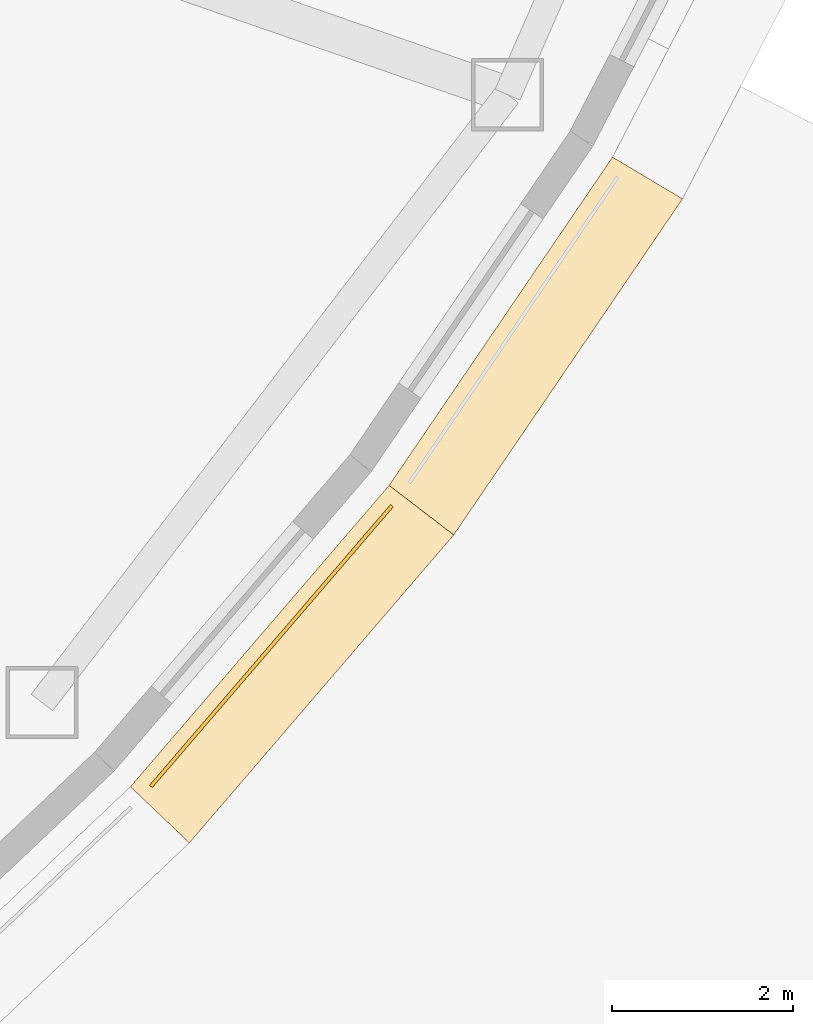
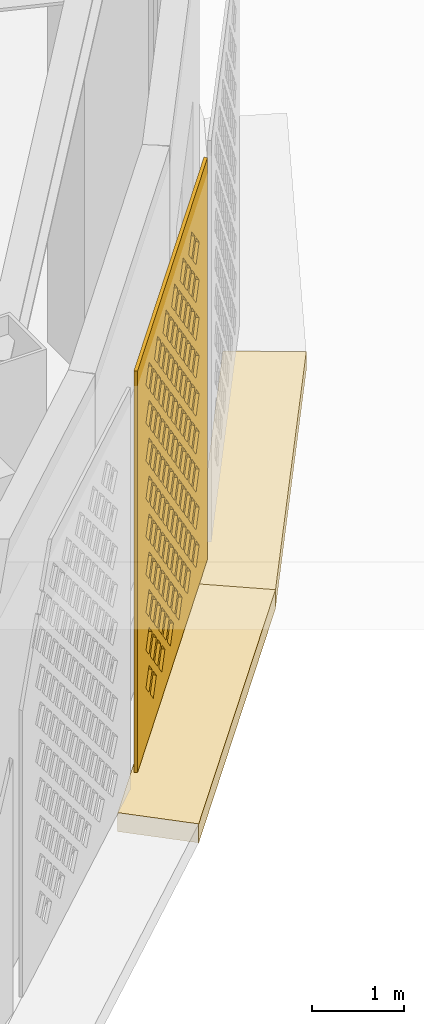
# One storey, part 70 of 74: 3 coverings.
"""IFC4 building model written with IfcOpenShell, lengths in metres."""

from ifc_helpers import new_model, si_unit, direction, frame, origin, place, context, subcontext, project, spatial, polyline, outline, extrude, material, layer, layer_set, type_object, element, save


model = new_model("IFC4")

# Units and contexts
model_context = context("Model", 3, precision=1e-05, world=origin(), true_north=direction((0.0, 1.0)))
body_context = subcontext(model_context, "Body", "Model", "MODEL_VIEW")
ifc_project = project(units=[si_unit("LENGTHUNIT", "METRE"), si_unit("AREAUNIT", "SQUARE_METRE"), si_unit("VOLUMEUNIT", "CUBIC_METRE"), si_unit("PLANEANGLEUNIT", "RADIAN"), si_unit("MASSUNIT", "GRAM", prefix="KILO")], contexts=[model_context])

# Site, building, storey
site_placement = place(None, origin())
site = spatial("IfcSite", under=ifc_project, at=site_placement, CompositionType="ELEMENT")
building_placement = place(site_placement, origin())
building = spatial("IfcBuilding", under=site, at=building_placement, Name="Noorbagh Ring Tower", CompositionType="ELEMENT")
storey_placement = place(building_placement, frame((0.0, 0.0, 7.5)))
storey = spatial("IfcBuildingStorey", under=building, at=storey_placement, Name="L01", CompositionType="ELEMENT", Elevation=7.5)

# Coverings
ifc_material_1 = material(Name="Red sandstone eave", Category="masonry")
covering_type_1 = type_object("IfcCoveringType", Name="STY-CHHAJJA", PredefinedType="USERDEFINED", material=ifc_material_1)
covering_1_placement = place(storey_placement, frame((0.0, 0.0, -0.25)))
element("IfcCovering", 1, at=covering_1_placement, inside=storey, type_object=covering_type_1, Name="Chhajja eave", ObjectType="CHHAJJA", PredefinedType="USERDEFINED", context=body_context, shape_type="SweptSolid", body=[
    extrude(outline(polyline([(41.906494140625, -23.682373046875), (44.77001953125, -20.346923828125), (45.485595703125, -20.89501953125), (42.55908203125, -24.3037109375), (41.906494140625, -23.682373046875)])), origin(), (0.0, 0.0, 1.0), 0.25),
])
covering_2_placement = place(storey_placement, frame((0.0, 0.0, -0.25)))
element("IfcCovering", 2, at=covering_2_placement, inside=storey, type_object=covering_type_1, Name="Chhajja eave", ObjectType="CHHAJJA", PredefinedType="USERDEFINED", context=body_context, shape_type="SweptSolid", body=[
    extrude(outline(polyline([(44.77001953125, -20.346923828125), (47.2431640625, -16.71337890625), (48.017578125, -17.175048828125), (45.485595703125, -20.89501953125), (44.77001953125, -20.346923828125)])), origin(), (0.0, 0.0, 1.0), 0.25),
])
ifc_material_2 = material(Name="Red sandstone jali", Category="masonry")
ifc_layer = layer(ifc_material_2, 0.0400390625)
ifc_layer_set = layer_set([ifc_layer], Name="Red sandstone jali")
covering_type_2 = type_object("IfcCoveringType", Name="STY-JALI", PredefinedType="USERDEFINED", material=ifc_layer_set)
covering_3_placement = place(storey_placement, frame((42.1484375, -23.692138671875, 0.449951171875), z_axis=(0.758717747284, -0.651419511495, 0.0), x_axis=(0.651419511495, 0.758717747284, 0.0)))
element("IfcCovering", 3, at=covering_3_placement, inside=storey, type_object=covering_type_2, Name="Jali screen", ObjectType="SCREEN", PredefinedType="USERDEFINED", context=body_context, shape_type="SweptSolid", body=[
    extrude(outline(polyline([(0.0, 0.0), (4.095703125, 0.0), (4.095703125, 5.300048828125), (0.0, 5.300048828125), (0.0, 0.0)]), holes=[polyline([(0.742919921875, 0.52490234375), (0.9228515625, 0.344970703125), (1.102783203125, 0.52490234375), (0.9228515625, 0.705078125), (0.742919921875, 0.52490234375)]), polyline([(1.242919921875, 0.52490234375), (1.4228515625, 0.344970703125), (1.602783203125, 0.52490234375), (1.4228515625, 0.705078125), (1.242919921875, 0.52490234375)]), polyline([(1.742919921875, 0.52490234375), (1.9228515625, 0.344970703125), (2.102783203125, 0.52490234375), (1.9228515625, 0.705078125), (1.742919921875, 0.52490234375)]), polyline([(2.242919921875, 0.52490234375), (2.4228515625, 0.344970703125), (2.602783203125, 0.52490234375), (2.4228515625, 0.705078125), (2.242919921875, 0.52490234375)]), polyline([(2.742919921875, 0.52490234375), (2.9228515625, 0.344970703125), (3.102783203125, 0.52490234375), (2.9228515625, 0.705078125), (2.742919921875, 0.52490234375)]), polyline([(3.242919921875, 0.52490234375), (3.4228515625, 0.344970703125), (3.602783203125, 0.52490234375), (3.4228515625, 0.705078125), (3.242919921875, 0.52490234375)]), polyline([(0.492919921875, 0.77490234375), (0.6728515625, 0.594970703125), (0.852783203125, 0.77490234375), (0.6728515625, 0.955078125), (0.492919921875, 0.77490234375)]), polyline([(0.992919921875, 0.77490234375), (1.1728515625, 0.594970703125), (1.352783203125, 0.77490234375), (1.1728515625, 0.955078125), (0.992919921875, 0.77490234375)]), polyline([(1.492919921875, 0.77490234375), (1.6728515625, 0.594970703125), (1.852783203125, 0.77490234375), (1.6728515625, 0.955078125), (1.492919921875, 0.77490234375)]), polyline([(1.992919921875, 0.77490234375), (2.1728515625, 0.594970703125), (2.352783203125, 0.77490234375), (2.1728515625, 0.955078125), (1.992919921875, 0.77490234375)]), polyline([(2.492919921875, 0.77490234375), (2.6728515625, 0.594970703125), (2.852783203125, 0.77490234375), (2.6728515625, 0.955078125), (2.492919921875, 0.77490234375)]), polyline([(2.992919921875, 0.77490234375), (3.1728515625, 0.594970703125), (3.352783203125, 0.77490234375), (3.1728515625, 0.955078125), (2.992919921875, 0.77490234375)]), polyline([(0.742919921875, 1.02490234375), (0.9228515625, 0.844970703125), (1.102783203125, 1.02490234375), (0.9228515625, 1.205078125), (0.742919921875, 1.02490234375)]), polyline([(1.242919921875, 1.02490234375), (1.4228515625, 0.844970703125), (1.602783203125, 1.02490234375), (1.4228515625, 1.205078125), (1.242919921875, 1.02490234375)]), polyline([(1.742919921875, 1.02490234375), (1.9228515625, 0.844970703125), (2.102783203125, 1.02490234375), (1.9228515625, 1.205078125), (1.742919921875, 1.02490234375)]), polyline([(2.242919921875, 1.02490234375), (2.4228515625, 0.844970703125), (2.602783203125, 1.02490234375), (2.4228515625, 1.205078125), (2.242919921875, 1.02490234375)]), polyline([(2.742919921875, 1.02490234375), (2.9228515625, 0.844970703125), (3.102783203125, 1.02490234375), (2.9228515625, 1.205078125), (2.742919921875, 1.02490234375)]), polyline([(3.242919921875, 1.02490234375), (3.4228515625, 0.844970703125), (3.602783203125, 1.02490234375), (3.4228515625, 1.205078125), (3.242919921875, 1.02490234375)]), polyline([(0.492919921875, 1.27490234375), (0.6728515625, 1.094970703125), (0.852783203125, 1.27490234375), (0.6728515625, 1.455078125), (0.492919921875, 1.27490234375)]), polyline([(0.992919921875, 1.27490234375), (1.1728515625, 1.094970703125), (1.352783203125, 1.27490234375), (1.1728515625, 1.455078125), (0.992919921875, 1.27490234375)]), polyline([(1.492919921875, 1.27490234375), (1.6728515625, 1.094970703125), (1.852783203125, 1.27490234375), (1.6728515625, 1.455078125), (1.492919921875, 1.27490234375)]), polyline([(1.992919921875, 1.27490234375), (2.1728515625, 1.094970703125), (2.352783203125, 1.27490234375), (2.1728515625, 1.455078125), (1.992919921875, 1.27490234375)]), polyline([(2.492919921875, 1.27490234375), (2.6728515625, 1.094970703125), (2.852783203125, 1.27490234375), (2.6728515625, 1.455078125), (2.492919921875, 1.27490234375)]), polyline([(2.992919921875, 1.27490234375), (3.1728515625, 1.094970703125), (3.352783203125, 1.27490234375), (3.1728515625, 1.455078125), (2.992919921875, 1.27490234375)]), polyline([(0.742919921875, 1.52490234375), (0.9228515625, 1.344970703125), (1.102783203125, 1.52490234375), (0.9228515625, 1.705078125), (0.742919921875, 1.52490234375)]), polyline([(1.242919921875, 1.52490234375), (1.4228515625, 1.344970703125), (1.602783203125, 1.52490234375), (1.4228515625, 1.705078125), (1.242919921875, 1.52490234375)]), polyline([(1.742919921875, 1.52490234375), (1.9228515625, 1.344970703125), (2.102783203125, 1.52490234375), (1.9228515625, 1.705078125), (1.742919921875, 1.52490234375)]), polyline([(2.242919921875, 1.52490234375), (2.4228515625, 1.344970703125), (2.602783203125, 1.52490234375), (2.4228515625, 1.705078125), (2.242919921875, 1.52490234375)]), polyline([(2.742919921875, 1.52490234375), (2.9228515625, 1.344970703125), (3.102783203125, 1.52490234375), (2.9228515625, 1.705078125), (2.742919921875, 1.52490234375)]), polyline([(3.242919921875, 1.52490234375), (3.4228515625, 1.344970703125), (3.602783203125, 1.52490234375), (3.4228515625, 1.705078125), (3.242919921875, 1.52490234375)]), polyline([(0.492919921875, 1.77490234375), (0.6728515625, 1.594970703125), (0.852783203125, 1.77490234375), (0.6728515625, 1.955078125), (0.492919921875, 1.77490234375)]), polyline([(0.992919921875, 1.77490234375), (1.1728515625, 1.594970703125), (1.352783203125, 1.77490234375), (1.1728515625, 1.955078125), (0.992919921875, 1.77490234375)]), polyline([(1.492919921875, 1.77490234375), (1.6728515625, 1.594970703125), (1.852783203125, 1.77490234375), (1.6728515625, 1.955078125), (1.492919921875, 1.77490234375)]), polyline([(1.992919921875, 1.77490234375), (2.1728515625, 1.594970703125), (2.352783203125, 1.77490234375), (2.1728515625, 1.955078125), (1.992919921875, 1.77490234375)]), polyline([(2.492919921875, 1.77490234375), (2.6728515625, 1.594970703125), (2.852783203125, 1.77490234375), (2.6728515625, 1.955078125), (2.492919921875, 1.77490234375)]), polyline([(2.992919921875, 1.77490234375), (3.1728515625, 1.594970703125), (3.352783203125, 1.77490234375), (3.1728515625, 1.955078125), (2.992919921875, 1.77490234375)]), polyline([(0.742919921875, 2.02490234375), (0.9228515625, 1.844970703125), (1.102783203125, 2.02490234375), (0.9228515625, 2.205078125), (0.742919921875, 2.02490234375)]), polyline([(1.242919921875, 2.02490234375), (1.4228515625, 1.844970703125), (1.602783203125, 2.02490234375), (1.4228515625, 2.205078125), (1.242919921875, 2.02490234375)]), polyline([(1.742919921875, 2.02490234375), (1.9228515625, 1.844970703125), (2.102783203125, 2.02490234375), (1.9228515625, 2.205078125), (1.742919921875, 2.02490234375)]), polyline([(2.242919921875, 2.02490234375), (2.4228515625, 1.844970703125), (2.602783203125, 2.02490234375), (2.4228515625, 2.205078125), (2.242919921875, 2.02490234375)]), polyline([(2.742919921875, 2.02490234375), (2.9228515625, 1.844970703125), (3.102783203125, 2.02490234375), (2.9228515625, 2.205078125), (2.742919921875, 2.02490234375)]), polyline([(3.242919921875, 2.02490234375), (3.4228515625, 1.844970703125), (3.602783203125, 2.02490234375), (3.4228515625, 2.205078125), (3.242919921875, 2.02490234375)]), polyline([(0.492919921875, 2.27490234375), (0.6728515625, 2.094970703125), (0.852783203125, 2.27490234375), (0.6728515625, 2.455078125), (0.492919921875, 2.27490234375)]), polyline([(0.992919921875, 2.27490234375), (1.1728515625, 2.094970703125), (1.352783203125, 2.27490234375), (1.1728515625, 2.455078125), (0.992919921875, 2.27490234375)]), polyline([(1.492919921875, 2.27490234375), (1.6728515625, 2.094970703125), (1.852783203125, 2.27490234375), (1.6728515625, 2.455078125), (1.492919921875, 2.27490234375)]), polyline([(1.992919921875, 2.27490234375), (2.1728515625, 2.094970703125), (2.352783203125, 2.27490234375), (2.1728515625, 2.455078125), (1.992919921875, 2.27490234375)]), polyline([(2.492919921875, 2.27490234375), (2.6728515625, 2.094970703125), (2.852783203125, 2.27490234375), (2.6728515625, 2.455078125), (2.492919921875, 2.27490234375)]), polyline([(2.992919921875, 2.27490234375), (3.1728515625, 2.094970703125), (3.352783203125, 2.27490234375), (3.1728515625, 2.455078125), (2.992919921875, 2.27490234375)]), polyline([(0.742919921875, 2.52490234375), (0.9228515625, 2.344970703125), (1.102783203125, 2.52490234375), (0.9228515625, 2.705078125), (0.742919921875, 2.52490234375)]), polyline([(1.242919921875, 2.52490234375), (1.4228515625, 2.344970703125), (1.602783203125, 2.52490234375), (1.4228515625, 2.705078125), (1.242919921875, 2.52490234375)]), polyline([(1.742919921875, 2.52490234375), (1.9228515625, 2.344970703125), (2.102783203125, 2.52490234375), (1.9228515625, 2.705078125), (1.742919921875, 2.52490234375)]), polyline([(2.242919921875, 2.52490234375), (2.4228515625, 2.344970703125), (2.602783203125, 2.52490234375), (2.4228515625, 2.705078125), (2.242919921875, 2.52490234375)]), polyline([(2.742919921875, 2.52490234375), (2.9228515625, 2.344970703125), (3.102783203125, 2.52490234375), (2.9228515625, 2.705078125), (2.742919921875, 2.52490234375)]), polyline([(3.242919921875, 2.52490234375), (3.4228515625, 2.344970703125), (3.602783203125, 2.52490234375), (3.4228515625, 2.705078125), (3.242919921875, 2.52490234375)]), polyline([(0.492919921875, 2.77490234375), (0.6728515625, 2.594970703125), (0.852783203125, 2.77490234375), (0.6728515625, 2.955078125), (0.492919921875, 2.77490234375)]), polyline([(0.992919921875, 2.77490234375), (1.1728515625, 2.594970703125), (1.352783203125, 2.77490234375), (1.1728515625, 2.955078125), (0.992919921875, 2.77490234375)]), polyline([(1.492919921875, 2.77490234375), (1.6728515625, 2.594970703125), (1.852783203125, 2.77490234375), (1.6728515625, 2.955078125), (1.492919921875, 2.77490234375)]), polyline([(1.992919921875, 2.77490234375), (2.1728515625, 2.594970703125), (2.352783203125, 2.77490234375), (2.1728515625, 2.955078125), (1.992919921875, 2.77490234375)]), polyline([(2.492919921875, 2.77490234375), (2.6728515625, 2.594970703125), (2.852783203125, 2.77490234375), (2.6728515625, 2.955078125), (2.492919921875, 2.77490234375)]), polyline([(2.992919921875, 2.77490234375), (3.1728515625, 2.594970703125), (3.352783203125, 2.77490234375), (3.1728515625, 2.955078125), (2.992919921875, 2.77490234375)]), polyline([(0.742919921875, 3.02490234375), (0.9228515625, 2.844970703125), (1.102783203125, 3.02490234375), (0.9228515625, 3.205078125), (0.742919921875, 3.02490234375)]), polyline([(1.242919921875, 3.02490234375), (1.4228515625, 2.844970703125), (1.602783203125, 3.02490234375), (1.4228515625, 3.205078125), (1.242919921875, 3.02490234375)]), polyline([(1.742919921875, 3.02490234375), (1.9228515625, 2.844970703125), (2.102783203125, 3.02490234375), (1.9228515625, 3.205078125), (1.742919921875, 3.02490234375)]), polyline([(2.242919921875, 3.02490234375), (2.4228515625, 2.844970703125), (2.602783203125, 3.02490234375), (2.4228515625, 3.205078125), (2.242919921875, 3.02490234375)]), polyline([(2.742919921875, 3.02490234375), (2.9228515625, 2.844970703125), (3.102783203125, 3.02490234375), (2.9228515625, 3.205078125), (2.742919921875, 3.02490234375)]), polyline([(3.242919921875, 3.02490234375), (3.4228515625, 2.844970703125), (3.602783203125, 3.02490234375), (3.4228515625, 3.205078125), (3.242919921875, 3.02490234375)]), polyline([(0.492919921875, 3.27490234375), (0.6728515625, 3.094970703125), (0.852783203125, 3.27490234375), (0.6728515625, 3.455078125), (0.492919921875, 3.27490234375)]), polyline([(0.992919921875, 3.27490234375), (1.1728515625, 3.094970703125), (1.352783203125, 3.27490234375), (1.1728515625, 3.455078125), (0.992919921875, 3.27490234375)]), polyline([(1.492919921875, 3.27490234375), (1.6728515625, 3.094970703125), (1.852783203125, 3.27490234375), (1.6728515625, 3.455078125), (1.492919921875, 3.27490234375)]), polyline([(1.992919921875, 3.27490234375), (2.1728515625, 3.094970703125), (2.352783203125, 3.27490234375), (2.1728515625, 3.455078125), (1.992919921875, 3.27490234375)]), polyline([(2.492919921875, 3.27490234375), (2.6728515625, 3.094970703125), (2.852783203125, 3.27490234375), (2.6728515625, 3.455078125), (2.492919921875, 3.27490234375)]), polyline([(2.992919921875, 3.27490234375), (3.1728515625, 3.094970703125), (3.352783203125, 3.27490234375), (3.1728515625, 3.455078125), (2.992919921875, 3.27490234375)]), polyline([(0.742919921875, 3.52490234375), (0.9228515625, 3.344970703125), (1.102783203125, 3.52490234375), (0.9228515625, 3.705078125), (0.742919921875, 3.52490234375)]), polyline([(1.242919921875, 3.52490234375), (1.4228515625, 3.344970703125), (1.602783203125, 3.52490234375), (1.4228515625, 3.705078125), (1.242919921875, 3.52490234375)]), polyline([(1.742919921875, 3.52490234375), (1.9228515625, 3.344970703125), (2.102783203125, 3.52490234375), (1.9228515625, 3.705078125), (1.742919921875, 3.52490234375)]), polyline([(2.242919921875, 3.52490234375), (2.4228515625, 3.344970703125), (2.602783203125, 3.52490234375), (2.4228515625, 3.705078125), (2.242919921875, 3.52490234375)]), polyline([(2.742919921875, 3.52490234375), (2.9228515625, 3.344970703125), (3.102783203125, 3.52490234375), (2.9228515625, 3.705078125), (2.742919921875, 3.52490234375)]), polyline([(3.242919921875, 3.52490234375), (3.4228515625, 3.344970703125), (3.602783203125, 3.52490234375), (3.4228515625, 3.705078125), (3.242919921875, 3.52490234375)]), polyline([(0.492919921875, 3.77490234375), (0.6728515625, 3.594970703125), (0.852783203125, 3.77490234375), (0.6728515625, 3.955078125), (0.492919921875, 3.77490234375)]), polyline([(0.992919921875, 3.77490234375), (1.1728515625, 3.594970703125), (1.352783203125, 3.77490234375), (1.1728515625, 3.955078125), (0.992919921875, 3.77490234375)]), polyline([(1.492919921875, 3.77490234375), (1.6728515625, 3.594970703125), (1.852783203125, 3.77490234375), (1.6728515625, 3.955078125), (1.492919921875, 3.77490234375)]), polyline([(1.992919921875, 3.77490234375), (2.1728515625, 3.594970703125), (2.352783203125, 3.77490234375), (2.1728515625, 3.955078125), (1.992919921875, 3.77490234375)]), polyline([(2.492919921875, 3.77490234375), (2.6728515625, 3.594970703125), (2.852783203125, 3.77490234375), (2.6728515625, 3.955078125), (2.492919921875, 3.77490234375)]), polyline([(2.992919921875, 3.77490234375), (3.1728515625, 3.594970703125), (3.352783203125, 3.77490234375), (3.1728515625, 3.955078125), (2.992919921875, 3.77490234375)]), polyline([(0.742919921875, 4.02490234375), (0.9228515625, 3.844970703125), (1.102783203125, 4.02490234375), (0.9228515625, 4.205078125), (0.742919921875, 4.02490234375)]), polyline([(1.242919921875, 4.02490234375), (1.4228515625, 3.844970703125), (1.602783203125, 4.02490234375), (1.4228515625, 4.205078125), (1.242919921875, 4.02490234375)]), polyline([(1.742919921875, 4.02490234375), (1.9228515625, 3.844970703125), (2.102783203125, 4.02490234375), (1.9228515625, 4.205078125), (1.742919921875, 4.02490234375)]), polyline([(2.242919921875, 4.02490234375), (2.4228515625, 3.844970703125), (2.602783203125, 4.02490234375), (2.4228515625, 4.205078125), (2.242919921875, 4.02490234375)]), polyline([(2.742919921875, 4.02490234375), (2.9228515625, 3.844970703125), (3.102783203125, 4.02490234375), (2.9228515625, 4.205078125), (2.742919921875, 4.02490234375)]), polyline([(3.242919921875, 4.02490234375), (3.4228515625, 3.844970703125), (3.602783203125, 4.02490234375), (3.4228515625, 4.205078125), (3.242919921875, 4.02490234375)]), polyline([(0.492919921875, 4.27490234375), (0.6728515625, 4.094970703125), (0.852783203125, 4.27490234375), (0.6728515625, 4.455078125), (0.492919921875, 4.27490234375)]), polyline([(0.992919921875, 4.27490234375), (1.1728515625, 4.094970703125), (1.352783203125, 4.27490234375), (1.1728515625, 4.455078125), (0.992919921875, 4.27490234375)]), polyline([(1.492919921875, 4.27490234375), (1.6728515625, 4.094970703125), (1.852783203125, 4.27490234375), (1.6728515625, 4.455078125), (1.492919921875, 4.27490234375)]), polyline([(1.992919921875, 4.27490234375), (2.1728515625, 4.094970703125), (2.352783203125, 4.27490234375), (2.1728515625, 4.455078125), (1.992919921875, 4.27490234375)]), polyline([(2.492919921875, 4.27490234375), (2.6728515625, 4.094970703125), (2.852783203125, 4.27490234375), (2.6728515625, 4.455078125), (2.492919921875, 4.27490234375)]), polyline([(2.992919921875, 4.27490234375), (3.1728515625, 4.094970703125), (3.352783203125, 4.27490234375), (3.1728515625, 4.455078125), (2.992919921875, 4.27490234375)]), polyline([(0.742919921875, 4.52490234375), (0.9228515625, 4.344970703125), (1.102783203125, 4.52490234375), (0.9228515625, 4.705078125), (0.742919921875, 4.52490234375)]), polyline([(1.242919921875, 4.52490234375), (1.4228515625, 4.344970703125), (1.602783203125, 4.52490234375), (1.4228515625, 4.705078125), (1.242919921875, 4.52490234375)]), polyline([(1.742919921875, 4.52490234375), (1.9228515625, 4.344970703125), (2.102783203125, 4.52490234375), (1.9228515625, 4.705078125), (1.742919921875, 4.52490234375)]), polyline([(2.242919921875, 4.52490234375), (2.4228515625, 4.344970703125), (2.602783203125, 4.52490234375), (2.4228515625, 4.705078125), (2.242919921875, 4.52490234375)]), polyline([(2.742919921875, 4.52490234375), (2.9228515625, 4.344970703125), (3.102783203125, 4.52490234375), (2.9228515625, 4.705078125), (2.742919921875, 4.52490234375)]), polyline([(3.242919921875, 4.52490234375), (3.4228515625, 4.344970703125), (3.602783203125, 4.52490234375), (3.4228515625, 4.705078125), (3.242919921875, 4.52490234375)]), polyline([(0.492919921875, 4.77490234375), (0.6728515625, 4.594970703125), (0.852783203125, 4.77490234375), (0.6728515625, 4.955078125), (0.492919921875, 4.77490234375)]), polyline([(0.992919921875, 4.77490234375), (1.1728515625, 4.594970703125), (1.352783203125, 4.77490234375), (1.1728515625, 4.955078125), (0.992919921875, 4.77490234375)]), polyline([(1.492919921875, 4.77490234375), (1.6728515625, 4.594970703125), (1.852783203125, 4.77490234375), (1.6728515625, 4.955078125), (1.492919921875, 4.77490234375)]), polyline([(1.992919921875, 4.77490234375), (2.1728515625, 4.594970703125), (2.352783203125, 4.77490234375), (2.1728515625, 4.955078125), (1.992919921875, 4.77490234375)]), polyline([(2.492919921875, 4.77490234375), (2.6728515625, 4.594970703125), (2.852783203125, 4.77490234375), (2.6728515625, 4.955078125), (2.492919921875, 4.77490234375)]), polyline([(2.992919921875, 4.77490234375), (3.1728515625, 4.594970703125), (3.352783203125, 4.77490234375), (3.1728515625, 4.955078125), (2.992919921875, 4.77490234375)])]), origin(), (0.0, 0.0, -1.0), 0.0400390625),
])

save(model, "model.ifc")
